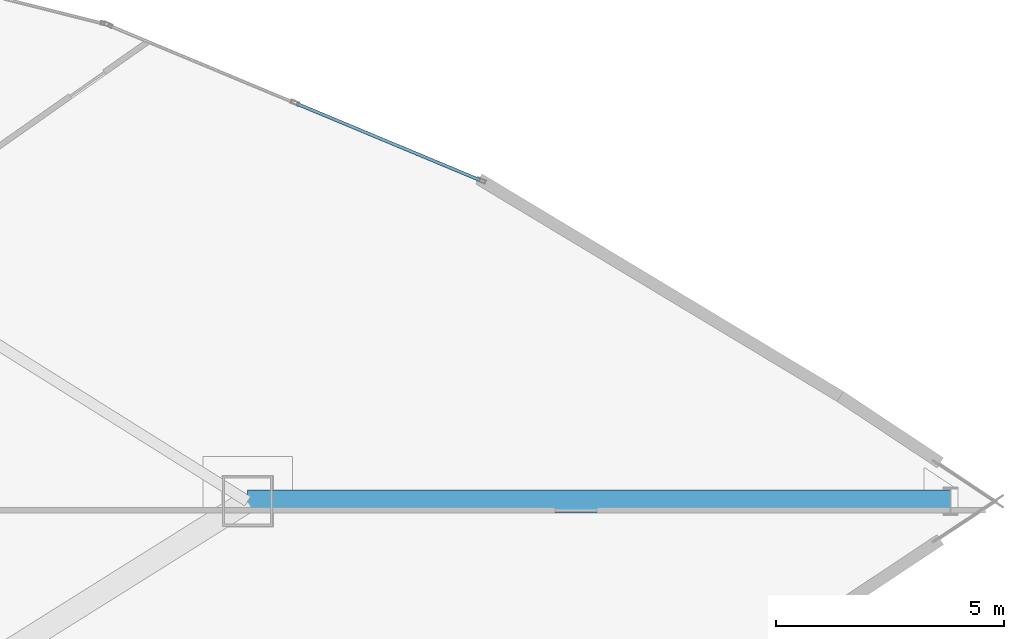
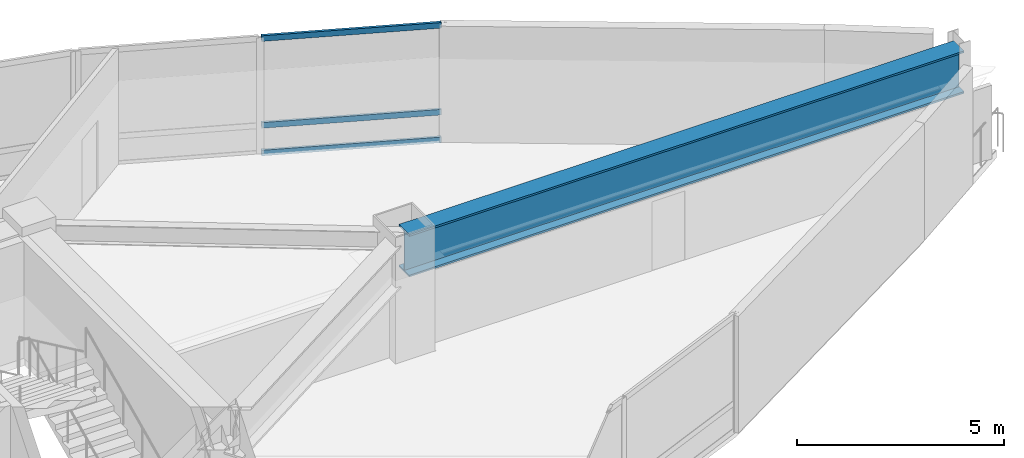
# One storey, part 11 of 18: 3 members, 1 beam, 1 element without a shape of its own.
"""IFC4 building model written with IfcOpenShell, lengths in metres."""

from ifc_helpers import new_model, si_unit, direction, frame, origin, origin_2d, place, context, subcontext, project, spatial, hollow_rectangle, i_section, extrude, material, layer, layer_set, material_profile, profile_set, type_object, element, aggregate, save


model = new_model("IFC4")

# Units and contexts
model_context = context("Model", 3, precision=1e-05, world=origin(), true_north=direction((0.0, 1.0)))
body_context = subcontext(model_context, "Body", "Model", "MODEL_VIEW")
ifc_project = project(units=[si_unit("LENGTHUNIT", "METRE"), si_unit("AREAUNIT", "SQUARE_METRE"), si_unit("VOLUMEUNIT", "CUBIC_METRE"), si_unit("PLANEANGLEUNIT", "RADIAN"), si_unit("MASSUNIT", "GRAM", prefix="KILO")], contexts=[model_context])

# Site, building, storey
site_placement = place(None, origin())
site = spatial("IfcSite", under=ifc_project, at=site_placement, CompositionType="ELEMENT")
building_placement = place(site_placement, origin())
building = spatial("IfcBuilding", under=site, at=building_placement, Name="Menara Vayukalpa", CompositionType="ELEMENT")
storey_placement = place(building_placement, frame((0.0, 0.0, 169.199951171875)))
storey = spatial("IfcBuildingStorey", under=building, at=storey_placement, Name="L42", CompositionType="ELEMENT", Elevation=169.199951171875)

# Beam
ifc_material_1 = material(Name="Steel S460", Category="steel")
ifc_material_profile_1 = material_profile(ifc_material_1, i_section(OverallWidth=0.5, OverallDepth=1.25, WebThickness=0.028076171875, FlangeThickness=0.054931640625, at=origin_2d()), Name="WG 1250x500x28x55")
ifc_profile_set_1 = profile_set([ifc_material_profile_1], Name="Steel S460")
beam_type = type_object("IfcBeamType", Name="BM-TG2", PredefinedType="BEAM", material=ifc_profile_set_1)
beam_placement = place(storey_placement, frame((41.05908203125, 22.0, 2.81494140625), z_axis=(1.0, 0.0, 0.0), x_axis=(0.0, 1.0, 0.0)))
element("IfcBeam", 1, at=beam_placement, inside=storey, type_object=beam_type, Name="L42 SB3 Sky Bar Vierendeel Girder 01", PredefinedType="BEAM", context=body_context, shape_type="SweptSolid", body=[
    extrude(i_section(OverallWidth=0.5, OverallDepth=1.25, WebThickness=0.028076171875, FlangeThickness=0.054931640625, at=origin_2d()), origin(), (0.0, 0.0, 1.0), 15.44287109375),
])

# Curtain wall, members
ifc_material_2 = material(Name="Anodised Terracotta Aluminium Alloy 6063-T6", Category="masonry")
ifc_layer = layer(ifc_material_2, 0.179931640625)
ifc_layer_set = layer_set([ifc_layer], Name="Anodised Terracotta Aluminium Alloy 6063-T6")
curtain_wall_type = type_object("IfcCurtainWallType", Name="CW-CW4", PredefinedType="USERDEFINED", material=ifc_layer_set)
curtain_wall_placement = place(storey_placement, origin())
curtain_wall = element("IfcCurtainWall", 2, at=curtain_wall_placement, inside=storey, type_object=curtain_wall_type, Name="L42 Sky Bar Cantilever Glazed Curtain Wall CW4 04", ObjectType="UNITISED", PredefinedType="USERDEFINED")
ifc_material_3 = material(Name="Anodised Terracotta Aluminium Alloy 6063-T6", Category="masonry")
ifc_material_profile_2 = material_profile(ifc_material_3, hollow_rectangle(XDim=0.070068359375, YDim=0.1650390625, WallThickness=0.00390625, at=origin_2d()), Name="ALU 70x165x4")
ifc_profile_set_2 = profile_set([ifc_material_profile_2], Name="Anodised Terracotta Aluminium Alloy 6063-T6")
member_type = type_object("IfcMemberType", Name="CWT-CW4", PredefinedType="USERDEFINED", material=ifc_profile_set_2)
member_1_placement = place(storey_placement, frame((46.166015625, 29.05419921875, 0.03515625), z_axis=(-0.9228767989, 0.385095331123, 0.0), x_axis=(-0.385095331123, -0.9228767989, 0.0)))
member_1 = element("IfcMember", 3, at=member_1_placement, type_object=member_type, Name="CW4 transom 1.1", ObjectType="TRANSOM", PredefinedType="USERDEFINED", context=body_context, shape_type="SweptSolid", body=[
    extrude(hollow_rectangle(XDim=0.070068359375, YDim=0.1650390625, WallThickness=0.00390625, at=origin_2d()), origin(), (0.0, 0.0, 1.0), 4.369873046875),
])
member_2_placement = place(storey_placement, frame((46.166015625, 29.05419921875, 0.85009765625), z_axis=(-0.9228767989, 0.385095331123, 0.0), x_axis=(-0.385095331123, -0.9228767989, 0.0)))
member_2 = element("IfcMember", 4, at=member_2_placement, type_object=member_type, Name="CW4 transom 1.2", ObjectType="TRANSOM", PredefinedType="USERDEFINED", context=body_context, shape_type="SweptSolid", body=[
    extrude(hollow_rectangle(XDim=0.070068359375, YDim=0.1650390625, WallThickness=0.00390625, at=origin_2d()), origin(), (0.0, 0.0, 1.0), 4.369873046875),
])
member_3_placement = place(storey_placement, frame((46.166015625, 29.05419921875, 3.405029296875), z_axis=(-0.9228767989, 0.385095331123, 0.0), x_axis=(-0.385095331123, -0.9228767989, 0.0)))
member_3 = element("IfcMember", 5, at=member_3_placement, type_object=member_type, Name="CW4 transom 1.3", ObjectType="TRANSOM", PredefinedType="USERDEFINED", context=body_context, shape_type="SweptSolid", body=[
    extrude(hollow_rectangle(XDim=0.070068359375, YDim=0.1650390625, WallThickness=0.00390625, at=origin_2d()), origin(), (0.0, 0.0, 1.0), 4.369873046875),
])
aggregate(curtain_wall, [member_1, member_2, member_3])

save(model, "model.ifc")
